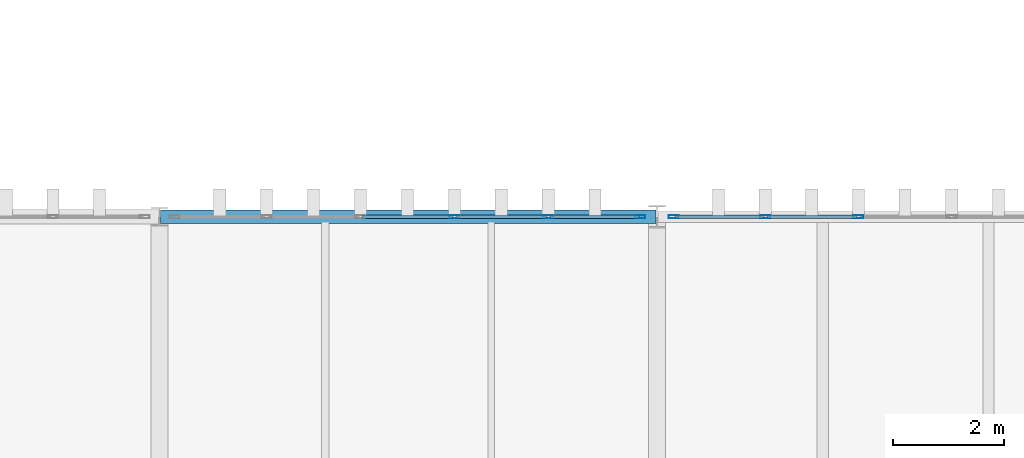
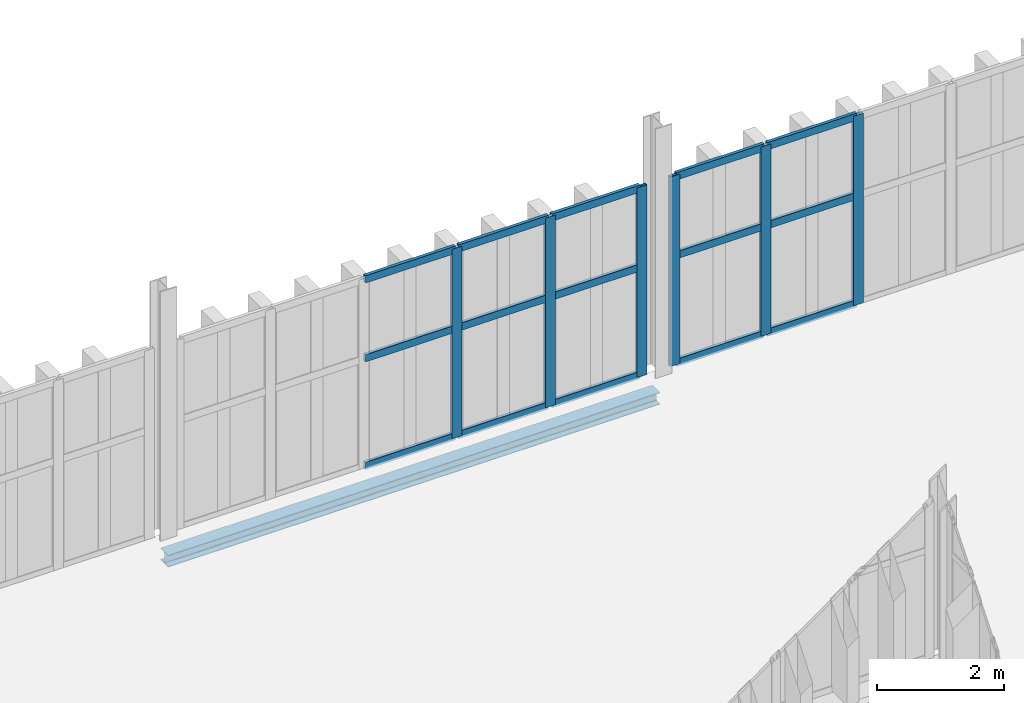
# One storey, part 149 of 196: 21 members, 1 beam, 2 elements without a shape of their own.
"""IFC4 building model written with IfcOpenShell, lengths in metres."""

from ifc_helpers import new_model, si_unit, direction, frame, origin, origin_2d, place, context, subcontext, project, spatial, hollow_rectangle, i_section, extrude, material, layer, layer_set, material_profile, profile_set, type_object, element, aggregate, save


model = new_model("IFC4")

# Units and contexts
model_context = context("Model", 3, precision=1e-05, world=origin(), true_north=direction((0.0, 1.0)))
body_context = subcontext(model_context, "Body", "Model", "MODEL_VIEW")
ifc_project = project(units=[si_unit("LENGTHUNIT", "METRE"), si_unit("AREAUNIT", "SQUARE_METRE"), si_unit("VOLUMEUNIT", "CUBIC_METRE"), si_unit("PLANEANGLEUNIT", "RADIAN"), si_unit("MASSUNIT", "GRAM", prefix="KILO")], contexts=[model_context])

# Site, building, storey
site_placement = place(None, origin())
site = spatial("IfcSite", under=ifc_project, at=site_placement, CompositionType="ELEMENT")
building_placement = place(site_placement, origin())
building = spatial("IfcBuilding", under=site, at=building_placement, Name="Barlavento Convention Centre", CompositionType="ELEMENT")
storey_placement = place(building_placement, frame((0.0, 0.0, 18.0)))
storey = spatial("IfcBuildingStorey", under=building, at=storey_placement, Name="L03", CompositionType="ELEMENT", Elevation=18.0)

# Curtain wall, members
ifc_material_1 = material(Name="Powder-coated aluminium and Low-E glass", Category="aluminium")
ifc_layer = layer(ifc_material_1, 0.179931640625)
ifc_layer_set = layer_set([ifc_layer], Name="ARC-CW-CONF-L03")
curtain_wall_type = type_object("IfcCurtainWallType", Name="ARC-CW-CONF-L03", PredefinedType="NOTDEFINED", material=ifc_layer_set)
curtain_wall_1_placement = place(storey_placement, origin())
curtain_wall_1 = element("IfcCurtainWall", 1, at=curtain_wall_1_placement, inside=storey, type_object=curtain_wall_type, Name="L03 unitised curtain wall CW08", PredefinedType="NOTDEFINED")
ifc_material_2 = material(Name="Powder-coated aluminium", Category="aluminium")
ifc_material_profile_1 = material_profile(ifc_material_2, hollow_rectangle(XDim=0.06005859375, YDim=0.179931640625, WallThickness=0.0048828125, at=origin_2d()), Name="AL-MULL 60x180x5")
ifc_profile_set_1 = profile_set([ifc_material_profile_1], Name="Powder-coated aluminium")
member_type_1 = type_object("IfcMemberType", Name="ARC-CWM-60X180", PredefinedType="MULLION", material=ifc_profile_set_1)
member_1_placement = place(storey_placement, frame((167.333984375, 99.0, 0.0), z_axis=(0.0, 0.0, 1.0), x_axis=(0.0, 1.0, 0.0)))
member_1 = element("IfcMember", 2, at=member_1_placement, type_object=member_type_1, Name="CW08 mullion 4", PredefinedType="MULLION", context=body_context, shape_type="SweptSolid", body=[
    extrude(hollow_rectangle(XDim=0.06005859375, YDim=0.179931640625, WallThickness=0.0048828125, at=origin_2d()), origin(), (0.0, 0.0, 1.0), 3.64990234375),
])
member_2_placement = place(storey_placement, frame((169.031982421875, 99.0, 0.0), z_axis=(0.0, 0.0, 1.0), x_axis=(0.0, 1.0, 0.0)))
member_2 = element("IfcMember", 3, at=member_2_placement, type_object=member_type_1, Name="CW08 mullion 5", PredefinedType="MULLION", context=body_context, shape_type="SweptSolid", body=[
    extrude(hollow_rectangle(XDim=0.06005859375, YDim=0.179931640625, WallThickness=0.0048828125, at=origin_2d()), origin(), (0.0, 0.0, 1.0), 3.64990234375),
])
member_3_placement = place(storey_placement, frame((170.699951171875, 99.0, 0.0), z_axis=(0.0, 0.0, 1.0), x_axis=(0.0, 1.0, 0.0)))
member_3 = element("IfcMember", 4, at=member_3_placement, type_object=member_type_1, Name="CW08 mullion 6", PredefinedType="MULLION", context=body_context, shape_type="SweptSolid", body=[
    extrude(hollow_rectangle(XDim=0.06005859375, YDim=0.179931640625, WallThickness=0.0048828125, at=origin_2d()), origin(), (0.0, 0.0, 1.0), 3.64990234375),
])

curtain_wall_2_placement = place(storey_placement, origin())
curtain_wall_2 = element("IfcCurtainWall", 5, at=curtain_wall_2_placement, inside=storey, type_object=curtain_wall_type, Name="L03 unitised curtain wall CW08", PredefinedType="NOTDEFINED")
member_4_placement = place(storey_placement, frame((171.300048828125, 99.0, 0.0), z_axis=(0.0, 0.0, 1.0), x_axis=(0.0, 1.0, 0.0)))
member_4 = element("IfcMember", 6, at=member_4_placement, type_object=member_type_1, Name="CW08 mullion 1", PredefinedType="MULLION", context=body_context, shape_type="SweptSolid", body=[
    extrude(hollow_rectangle(XDim=0.06005859375, YDim=0.179931640625, WallThickness=0.0048828125, at=origin_2d()), origin(), (0.0, 0.0, 1.0), 3.64990234375),
])
member_5_placement = place(storey_placement, frame((172.95703125, 99.0, 0.0), z_axis=(0.0, 0.0, 1.0), x_axis=(0.0, 1.0, 0.0)))
member_5 = element("IfcMember", 7, at=member_5_placement, type_object=member_type_1, Name="CW08 mullion 2", PredefinedType="MULLION", context=body_context, shape_type="SweptSolid", body=[
    extrude(hollow_rectangle(XDim=0.06005859375, YDim=0.179931640625, WallThickness=0.0048828125, at=origin_2d()), origin(), (0.0, 0.0, 1.0), 3.64990234375),
])
member_6_placement = place(storey_placement, frame((174.64404296875, 99.0, 0.0), z_axis=(0.0, 0.0, 1.0), x_axis=(0.0, 1.0, 0.0)))
member_6 = element("IfcMember", 8, at=member_6_placement, type_object=member_type_1, Name="CW08 mullion 3", PredefinedType="MULLION", context=body_context, shape_type="SweptSolid", body=[
    extrude(hollow_rectangle(XDim=0.06005859375, YDim=0.179931640625, WallThickness=0.0048828125, at=origin_2d()), origin(), (0.0, 0.0, 1.0), 3.64990234375),
])

# Member
ifc_material_profile_2 = material_profile(ifc_material_2, hollow_rectangle(XDim=0.06005859375, YDim=0.139892578125, WallThickness=0.00390625, at=origin_2d()), Name="AL-TRAN 60x140x4")
ifc_profile_set_2 = profile_set([ifc_material_profile_2], Name="Powder-coated aluminium")
member_type_2 = type_object("IfcMemberType", Name="ARC-CWT-60X140", PredefinedType="USERDEFINED", material=ifc_profile_set_2)
member_7_placement = place(storey_placement, frame((165.666015625, 99.0, 0.030029296875), z_axis=(1.0, 0.0, 0.0), x_axis=(0.0, 1.0, 0.0)))
member_7 = element("IfcMember", 9, at=member_7_placement, type_object=member_type_2, Name="CW08 transom 3.1", ObjectType="TRANSOM", PredefinedType="USERDEFINED", context=body_context, shape_type="SweptSolid", body=[
    extrude(hollow_rectangle(XDim=0.06005859375, YDim=0.139892578125, WallThickness=0.00390625, at=origin_2d()), origin(), (0.0, 0.0, 1.0), 1.637939453125),
])

member_8_placement = place(storey_placement, frame((165.666015625, 99.0, 2.10009765625), z_axis=(1.0, 0.0, 0.0), x_axis=(0.0, 1.0, 0.0)))
member_8 = element("IfcMember", 10, at=member_8_placement, type_object=member_type_2, Name="CW08 transom 3.2", ObjectType="TRANSOM", PredefinedType="USERDEFINED", context=body_context, shape_type="SweptSolid", body=[
    extrude(hollow_rectangle(XDim=0.06005859375, YDim=0.139892578125, WallThickness=0.00390625, at=origin_2d()), origin(), (0.0, 0.0, 1.0), 1.637939453125),
])

member_9_placement = place(storey_placement, frame((165.666015625, 99.0, 3.6201171875), z_axis=(1.0, 0.0, 0.0), x_axis=(0.0, 1.0, 0.0)))
member_9 = element("IfcMember", 11, at=member_9_placement, type_object=member_type_2, Name="CW08 transom 3.3", ObjectType="TRANSOM", PredefinedType="USERDEFINED", context=body_context, shape_type="SweptSolid", body=[
    extrude(hollow_rectangle(XDim=0.06005859375, YDim=0.139892578125, WallThickness=0.00390625, at=origin_2d()), origin(), (0.0, 0.0, 1.0), 1.637939453125),
])

member_10_placement = place(storey_placement, frame((167.364013671875, 99.0, 0.030029296875), z_axis=(1.0, 0.0, 0.0), x_axis=(0.0, 1.0, 0.0)))
member_10 = element("IfcMember", 12, at=member_10_placement, type_object=member_type_2, Name="CW08 transom 4.1", ObjectType="TRANSOM", PredefinedType="USERDEFINED", context=body_context, shape_type="SweptSolid", body=[
    extrude(hollow_rectangle(XDim=0.06005859375, YDim=0.139892578125, WallThickness=0.00390625, at=origin_2d()), origin(), (0.0, 0.0, 1.0), 1.637939453125),
])

member_11_placement = place(storey_placement, frame((167.364013671875, 99.0, 2.10009765625), z_axis=(1.0, 0.0, 0.0), x_axis=(0.0, 1.0, 0.0)))
member_11 = element("IfcMember", 13, at=member_11_placement, type_object=member_type_2, Name="CW08 transom 4.2", ObjectType="TRANSOM", PredefinedType="USERDEFINED", context=body_context, shape_type="SweptSolid", body=[
    extrude(hollow_rectangle(XDim=0.06005859375, YDim=0.139892578125, WallThickness=0.00390625, at=origin_2d()), origin(), (0.0, 0.0, 1.0), 1.637939453125),
])

member_12_placement = place(storey_placement, frame((167.364013671875, 99.0, 3.6201171875), z_axis=(1.0, 0.0, 0.0), x_axis=(0.0, 1.0, 0.0)))
member_12 = element("IfcMember", 14, at=member_12_placement, type_object=member_type_2, Name="CW08 transom 4.3", ObjectType="TRANSOM", PredefinedType="USERDEFINED", context=body_context, shape_type="SweptSolid", body=[
    extrude(hollow_rectangle(XDim=0.06005859375, YDim=0.139892578125, WallThickness=0.00390625, at=origin_2d()), origin(), (0.0, 0.0, 1.0), 1.637939453125),
])

member_13_placement = place(storey_placement, frame((169.06201171875, 99.0, 0.030029296875), z_axis=(1.0, 0.0, 0.0), x_axis=(0.0, 1.0, 0.0)))
member_13 = element("IfcMember", 15, at=member_13_placement, type_object=member_type_2, Name="CW08 transom 5.1", ObjectType="TRANSOM", PredefinedType="USERDEFINED", context=body_context, shape_type="SweptSolid", body=[
    extrude(hollow_rectangle(XDim=0.06005859375, YDim=0.139892578125, WallThickness=0.00390625, at=origin_2d()), origin(), (0.0, 0.0, 1.0), 1.60791015625),
])

member_14_placement = place(storey_placement, frame((169.06201171875, 99.0, 2.10009765625), z_axis=(1.0, 0.0, 0.0), x_axis=(0.0, 1.0, 0.0)))
member_14 = element("IfcMember", 16, at=member_14_placement, type_object=member_type_2, Name="CW08 transom 5.2", ObjectType="TRANSOM", PredefinedType="USERDEFINED", context=body_context, shape_type="SweptSolid", body=[
    extrude(hollow_rectangle(XDim=0.06005859375, YDim=0.139892578125, WallThickness=0.00390625, at=origin_2d()), origin(), (0.0, 0.0, 1.0), 1.60791015625),
])

member_15_placement = place(storey_placement, frame((169.06201171875, 99.0, 3.6201171875), z_axis=(1.0, 0.0, 0.0), x_axis=(0.0, 1.0, 0.0)))
member_15 = element("IfcMember", 17, at=member_15_placement, type_object=member_type_2, Name="CW08 transom 5.3", ObjectType="TRANSOM", PredefinedType="USERDEFINED", context=body_context, shape_type="SweptSolid", body=[
    extrude(hollow_rectangle(XDim=0.06005859375, YDim=0.139892578125, WallThickness=0.00390625, at=origin_2d()), origin(), (0.0, 0.0, 1.0), 1.60791015625),
])

aggregate(curtain_wall_1, [member_1, member_2, member_3, member_7, member_8, member_9, member_10, member_11, member_12, member_13, member_14, member_15])

member_16_placement = place(storey_placement, frame((171.330078125, 99.0, 0.030029296875), z_axis=(1.0, 0.0, 0.0), x_axis=(0.0, 1.0, 0.0)))
member_16 = element("IfcMember", 18, at=member_16_placement, type_object=member_type_2, Name="CW08 transom 1.1", ObjectType="TRANSOM", PredefinedType="USERDEFINED", context=body_context, shape_type="SweptSolid", body=[
    extrude(hollow_rectangle(XDim=0.06005859375, YDim=0.139892578125, WallThickness=0.00390625, at=origin_2d()), origin(), (0.0, 0.0, 1.0), 1.596923828125),
])

member_17_placement = place(storey_placement, frame((171.330078125, 99.0, 2.10009765625), z_axis=(1.0, 0.0, 0.0), x_axis=(0.0, 1.0, 0.0)))
member_17 = element("IfcMember", 19, at=member_17_placement, type_object=member_type_2, Name="CW08 transom 1.2", ObjectType="TRANSOM", PredefinedType="USERDEFINED", context=body_context, shape_type="SweptSolid", body=[
    extrude(hollow_rectangle(XDim=0.06005859375, YDim=0.139892578125, WallThickness=0.00390625, at=origin_2d()), origin(), (0.0, 0.0, 1.0), 1.596923828125),
])

member_18_placement = place(storey_placement, frame((171.330078125, 99.0, 3.6201171875), z_axis=(1.0, 0.0, 0.0), x_axis=(0.0, 1.0, 0.0)))
member_18 = element("IfcMember", 20, at=member_18_placement, type_object=member_type_2, Name="CW08 transom 1.3", ObjectType="TRANSOM", PredefinedType="USERDEFINED", context=body_context, shape_type="SweptSolid", body=[
    extrude(hollow_rectangle(XDim=0.06005859375, YDim=0.139892578125, WallThickness=0.00390625, at=origin_2d()), origin(), (0.0, 0.0, 1.0), 1.596923828125),
])

member_19_placement = place(storey_placement, frame((172.987060546875, 99.0, 0.030029296875), z_axis=(1.0, 0.0, 0.0), x_axis=(0.0, 1.0, 0.0)))
member_19 = element("IfcMember", 21, at=member_19_placement, type_object=member_type_2, Name="CW08 transom 2.1", ObjectType="TRANSOM", PredefinedType="USERDEFINED", context=body_context, shape_type="SweptSolid", body=[
    extrude(hollow_rectangle(XDim=0.06005859375, YDim=0.139892578125, WallThickness=0.00390625, at=origin_2d()), origin(), (0.0, 0.0, 1.0), 1.626953125),
])

member_20_placement = place(storey_placement, frame((172.987060546875, 99.0, 2.10009765625), z_axis=(1.0, 0.0, 0.0), x_axis=(0.0, 1.0, 0.0)))
member_20 = element("IfcMember", 22, at=member_20_placement, type_object=member_type_2, Name="CW08 transom 2.2", ObjectType="TRANSOM", PredefinedType="USERDEFINED", context=body_context, shape_type="SweptSolid", body=[
    extrude(hollow_rectangle(XDim=0.06005859375, YDim=0.139892578125, WallThickness=0.00390625, at=origin_2d()), origin(), (0.0, 0.0, 1.0), 1.626953125),
])

member_21_placement = place(storey_placement, frame((172.987060546875, 99.0, 3.6201171875), z_axis=(1.0, 0.0, 0.0), x_axis=(0.0, 1.0, 0.0)))
member_21 = element("IfcMember", 23, at=member_21_placement, type_object=member_type_2, Name="CW08 transom 2.3", ObjectType="TRANSOM", PredefinedType="USERDEFINED", context=body_context, shape_type="SweptSolid", body=[
    extrude(hollow_rectangle(XDim=0.06005859375, YDim=0.139892578125, WallThickness=0.00390625, at=origin_2d()), origin(), (0.0, 0.0, 1.0), 1.626953125),
])

aggregate(curtain_wall_2, [member_4, member_5, member_6, member_16, member_17, member_18, member_19, member_20, member_21])

# Beam
ifc_material_3 = material(Name="Steel S355", Category="steel")
ifc_material_profile_3 = material_profile(ifc_material_3, i_section(OverallWidth=0.239990234375, OverallDepth=0.22998046875, WebThickness=0.007568359375, FlangeThickness=0.011962890625, FilletRadius=0.02099609375, at=origin_2d()), Name="HEA 240")
ifc_profile_set_3 = profile_set([ifc_material_profile_3], Name="Steel S355")
beam_type = type_object("IfcBeamType", Name="STR-BM-SPN-HEA240", PredefinedType="SPANDREL", material=ifc_profile_set_3)
beam_placement = place(storey_placement, frame((162.02001953125, 99.0, -0.47509765625), z_axis=(1.0, 0.0, 0.0), x_axis=(0.0, 1.0, 0.0)))
element("IfcBeam", 24, at=beam_placement, inside=storey, type_object=beam_type, Name="L03 primary girder SP05", PredefinedType="SPANDREL", context=body_context, shape_type="SweptSolid", body=[
    extrude(i_section(OverallWidth=0.239990234375, OverallDepth=0.22998046875, WebThickness=0.007568359375, FlangeThickness=0.011962890625, FilletRadius=0.02099609375, at=origin_2d()), origin(), (0.0, 0.0, 1.0), 8.9599609375),
])

save(model, "model.ifc")
